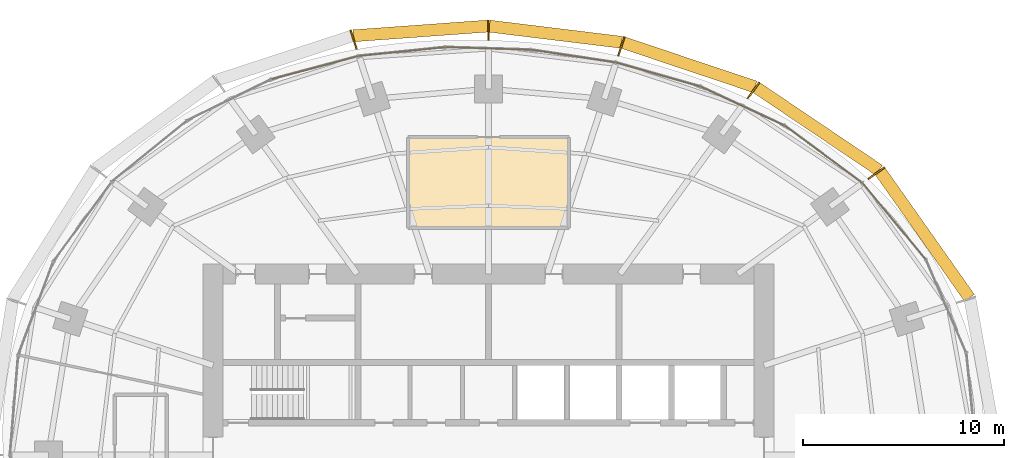
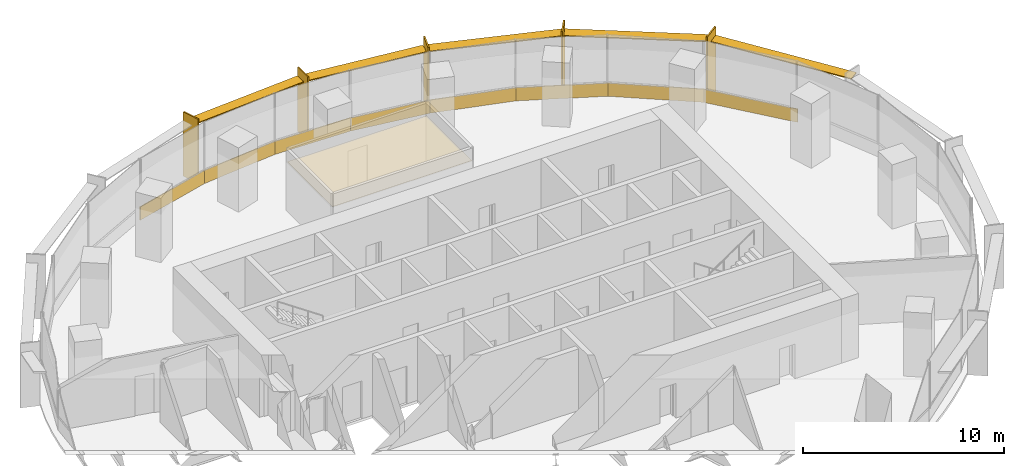
# One storey, part 14 of 14: 10 shading devices, 9 coverings.
"""IFC4 building model written with IfcOpenShell, lengths in metres."""

import ifcopenshell
import ifcopenshell.guid

model = None  # the IFC model being written
_history = None  # IfcOwnerHistory: only IFC2X3 demands one
_inside = {}  # id of a spatial element -> (the spatial element, [elements in it])
_under = {}  # id of a project, library or spatial element -> (it, [spatial elements below it])
_declared = {}  # id of a project -> (the project, [libraries it declares])
_typed = {}  # id of a type object -> (the type object, [elements of that type])
_made_of = {}  # id of a material, layer set ... -> (it, [elements and type objects made of it])


def new_model(schema):
    """Start an empty IFC model of exactly this schema.

    Asked for "IFC4X3", IfcOpenShell would pick the latest addendum, in which some entities
    have other attributes; the version numbers below select the first issue.
    IFC2X3 requires an IfcOwnerHistory on every rooted entity: one is made here for all.
    """
    global model, _history
    if schema == "IFC4X3":
        model = ifcopenshell.file(schema_version=(4, 3, 0, 0))
    else:
        model = ifcopenshell.file(schema=schema)
    _inside.clear()
    _under.clear()
    _declared.clear()
    _typed.clear()
    _made_of.clear()
    _history = None
    if model.schema == "IFC2X3":
        org = make("IfcOrganization", Name="unknown")
        user = make(
            "IfcPersonAndOrganization",
            ThePerson=make("IfcPerson", FamilyName="unknown"),
            TheOrganization=org,
        )
        app = make(
            "IfcApplication",
            ApplicationDeveloper=org,
            Version="unknown",
            ApplicationFullName="unknown",
            ApplicationIdentifier="unknown",
        )
        _history = make(
            "IfcOwnerHistory",
            OwningUser=user,
            OwningApplication=app,
            ChangeAction="ADDED",
            CreationDate=0,
        )
    return model


def make(cls, **values):
    """One entity of the class cls with the attributes given. An attribute that is None is left unset."""
    return model.create_entity(
        cls, **{name: value for name, value in values.items() if value is not None}
    )


def rooted(cls, **values):
    """An entity with a GlobalId (a new one), such as an element, a storey or a relation."""
    return make(cls, GlobalId=ifcopenshell.guid.new(), OwnerHistory=_history, **values)


def si_unit(unit_type, name, prefix=None):
    """IfcSIUnit, for example si_unit("LENGTHUNIT", "METRE", prefix="MILLI")."""
    return make("IfcSIUnit", UnitType=unit_type, Prefix=prefix, Name=name)


def assignment(units):
    """IfcUnitAssignment: the units of a project."""
    return None if units is None else make("IfcUnitAssignment", Units=units)


def point(xyz):
    """IfcCartesianPoint."""
    return None if xyz is None else make("IfcCartesianPoint", Coordinates=xyz)


def direction(xyz):
    """IfcDirection."""
    return None if xyz is None else make("IfcDirection", DirectionRatios=xyz)


def frame(location, z_axis=None, x_axis=None):
    """IfcAxis2Placement3D, a coordinate frame: its origin and axes. An axis left out is left unset."""
    return make(
        "IfcAxis2Placement3D",
        Location=point(location),
        Axis=direction(z_axis),
        RefDirection=direction(x_axis),
    )


def frame_2d(location, x_axis=None):
    """IfcAxis2Placement2D, a coordinate frame in the plane: its origin and x axis."""
    return make(
        "IfcAxis2Placement2D", Location=point(location), RefDirection=direction(x_axis)
    )


def origin():
    """The frame at (0, 0, 0) with its axes left unset."""
    return frame((0.0, 0.0, 0.0))


def origin_2d():
    """The frame at (0, 0) in the plane with its x axis left unset."""
    return frame_2d((0.0, 0.0))


def place(relative_to, where):
    """IfcLocalPlacement: puts the frame where relative to a parent placement (None: the world)."""
    return make(
        "IfcLocalPlacement", PlacementRelTo=relative_to, RelativePlacement=where
    )


def context(
    kind, dimensions, precision=None, world=None, true_north=None, identifier=None
):
    """IfcGeometricRepresentationContext, for example the 3D "Model" context."""
    return make(
        "IfcGeometricRepresentationContext",
        ContextIdentifier=identifier,
        ContextType=kind,
        CoordinateSpaceDimension=dimensions,
        Precision=precision,
        WorldCoordinateSystem=world,
        TrueNorth=true_north,
    )


def subcontext(parent, identifier, kind, view, scale=None):
    """IfcGeometricRepresentationSubContext, for example "Body" below "Model"."""
    return make(
        "IfcGeometricRepresentationSubContext",
        ContextIdentifier=identifier,
        ContextType=kind,
        ParentContext=parent,
        TargetScale=scale,
        TargetView=view,
    )


def project(units=None, contexts=None):
    """IfcProject with its units and contexts."""
    return rooted(
        "IfcProject",
        Name="project",
        RepresentationContexts=contexts,
        UnitsInContext=assignment(units),
    )


def spatial(cls, under=None, at=None, **own):
    """A site, building, storey or space (cls), placed at a placement, below another one or the project."""
    s = rooted(cls, ObjectPlacement=at, **own)
    if under is not None:
        _under.setdefault(under.id(), (under, []))[1].append(s)
    return s


def polyline(points):
    """IfcPolyline through the points."""
    return make("IfcPolyline", Points=[point(p) for p in points])


def profile(cls, at=None, kind="AREA", **sizes):
    """A parametric profile (cls). Its sizes go by their IFC names, for example OverallWidth=200.0."""
    return make(cls, ProfileType=kind, Position=at, **sizes)


def rectangle(**sizes):
    """IfcRectangleProfileDef."""
    return profile("IfcRectangleProfileDef", **sizes)


def outline(outer, holes=None, kind="AREA"):
    """IfcArbitraryClosedProfileDef: a profile drawn as a closed curve; with holes, ...WithVoids."""
    if holes is None:
        return make("IfcArbitraryClosedProfileDef", ProfileType=kind, OuterCurve=outer)
    return make(
        "IfcArbitraryProfileDefWithVoids",
        ProfileType=kind,
        OuterCurve=outer,
        InnerCurves=holes,
    )


def extrude(swept, where, along, depth):
    """IfcExtrudedAreaSolid: the profile swept, set in the frame where, extruded along a direction by depth."""
    return make(
        "IfcExtrudedAreaSolid",
        SweptArea=swept,
        Position=where,
        ExtrudedDirection=direction(along),
        Depth=depth,
    )


def shape(context_of_items, identifier, shape_type, items):
    """IfcShapeRepresentation: the items that make up one representation, for example the "Body"."""
    return make(
        "IfcShapeRepresentation",
        ContextOfItems=context_of_items,
        RepresentationIdentifier=identifier,
        RepresentationType=shape_type,
        Items=items,
    )


def material(Name=None, Category=None):
    """IfcMaterial."""
    return make("IfcMaterial", Name=Name, Category=Category)


def layer(
    of_material, thickness, ventilated=None, Name=None, Category=None, Priority=None
):
    """IfcMaterialLayer: one layer of a wall or slab, of a material (None: an air gap)."""
    return make(
        "IfcMaterialLayer",
        Material=of_material,
        LayerThickness=thickness,
        IsVentilated=ventilated,
        Name=Name,
        Category=Category,
        Priority=Priority,
    )


def layer_set(layers, Name=None):
    """IfcMaterialLayerSet."""
    return make("IfcMaterialLayerSet", MaterialLayers=layers, LayerSetName=Name)


def made_of(thing, what):
    """Note that an element or type object is made of a material, layer set ...; save() writes the relation."""
    if what is not None:
        _made_of.setdefault(what.id(), (what, []))[1].append(thing)
    return thing


def type_object(cls, material=None, **own):
    """A type object (cls), such as IfcWallType, which elements share."""
    return made_of(rooted(cls, **own), material)


def element(
    cls,
    number,
    at=None,
    inside=None,
    cuts=None,
    type_object=None,
    material=None,
    context=None,
    identifier="Body",
    shape_type=None,
    held_by="IfcProductDefinitionShape",
    body=None,
    shapes=None,
    **own,
):
    """One element of the class cls, such as IfcWall. Its Tag is "e" and its number.

    at: its placement. inside: the storey or other place that contains it. cuts: it is an
    opening in that element (IfcRelVoidsElement). A single representation is given by context,
    identifier, shape_type and body (its items); several are given by shapes. held_by: the class
    of the entity that holds the representations. save() writes the other relations.
    """
    e = rooted(cls, Tag="e%d" % number, ObjectPlacement=at, **own)
    if body is not None:
        shapes = [shape(context, identifier, shape_type, body)]
    if shapes is not None:
        e.Representation = make(held_by, Representations=shapes)
    if inside is not None:
        _inside.setdefault(inside.id(), (inside, []))[1].append(e)
    if cuts is not None:
        rooted(
            "IfcRelVoidsElement", RelatingBuildingElement=cuts, RelatedOpeningElement=e
        )
    if type_object is not None:
        _typed.setdefault(type_object.id(), (type_object, []))[1].append(e)
    return made_of(e, material)


def aggregate(whole, parts):
    """IfcRelAggregates: a whole, such as a stair, and the parts it consists of."""
    return rooted("IfcRelAggregates", RelatingObject=whole, RelatedObjects=parts)


def save(model, path):
    """Write the relations noted so far, then the file.

    IfcRelAggregates (storeys below a building ...), IfcRelContainedInSpatialStructure (elements
    in a storey), IfcRelDefinesByType, IfcRelAssociatesMaterial and IfcRelDeclares: one each for
    every whole, place, type object, material and project.
    """
    for whole, parts in _under.values():
        aggregate(whole, parts)
    for where, things in _inside.values():
        rooted(
            "IfcRelContainedInSpatialStructure",
            RelatedElements=things,
            RelatingStructure=where,
        )
    for kind, things in _typed.values():
        rooted("IfcRelDefinesByType", RelatedObjects=things, RelatingType=kind)
    for what, things in _made_of.values():
        rooted("IfcRelAssociatesMaterial", RelatedObjects=things, RelatingMaterial=what)
    for by, libraries in _declared.values():
        rooted("IfcRelDeclares", RelatingContext=by, RelatedDefinitions=libraries)
    model.write(path)


model = new_model("IFC4")

# Units and contexts
model_context = context("Model", 3, precision=1e-05, world=origin(), true_north=direction((0.0, 1.0)))
body_context = subcontext(model_context, "Body", "Model", "MODEL_VIEW")
ifc_project = project(units=[si_unit("LENGTHUNIT", "METRE"), si_unit("AREAUNIT", "SQUARE_METRE"), si_unit("VOLUMEUNIT", "CUBIC_METRE"), si_unit("PLANEANGLEUNIT", "RADIAN"), si_unit("MASSUNIT", "GRAM", prefix="KILO")], contexts=[model_context])

# Site, building, storey
site_placement = place(None, origin())
site = spatial("IfcSite", under=ifc_project, at=site_placement, CompositionType="ELEMENT")
building_placement = place(site_placement, origin())
building = spatial("IfcBuilding", under=site, at=building_placement, Name="Marramba Exchange Tower", CompositionType="ELEMENT")
storey_placement = place(building_placement, frame((0.0, 0.0, 218.89990234375)))
storey = spatial("IfcBuildingStorey", under=building, at=storey_placement, Name="L53", CompositionType="ELEMENT", Elevation=218.89990234375)

# Shading devices
ifc_material_1 = material(Name="Aluminium blade, timber-look bronze finish", Category="wood")
ifc_layer_1 = layer(ifc_material_1, 0.080078125)
ifc_layer_set_1 = layer_set([ifc_layer_1], Name="Floor-edge blade 1000x80")
shading_device_type_1 = type_object("IfcShadingDeviceType", Name="Floor-edge blade 1000x80", PredefinedType="USERDEFINED", material=ifc_layer_set_1)
for number, where, z_axis, x_axis, name in (
    (1, (19.298828125, 14.021484375, -0.159912109375), (0.0, 0.0, 1.0), (0.809016994375, 0.587785252292, 0.0), "Floor-edge blade FB1 L53 TC03"),
    (2, (13.176513671875, 18.135986328125, -0.159912109375), (0.0, 0.0, 1.0), (0.587785252292, 0.809016994375, 0.0), "Floor-edge blade FB1 L53 TC04"),
    (3, (6.605712890625, 20.330078125, -0.159912109375), (0.0, 0.0, 1.0), (0.309016994375, 0.951056516295, 0.0), "Floor-edge blade FB1 L53 TC05"),
    (4, (0.0, 21.13623046875, -0.159912109375), (0.0, 0.0, 1.0), (0.0, 1.0, 0.0), "Floor-edge blade FB1 L53 TC06"),
    (5, (-6.7119140625, 20.657470703125, -0.159912109375), (0.0, 0.0, 1.0), (-0.309016994375, 0.951056516295, 0.0), "Floor-edge blade FB1 L53 TC07"),
):
    element("IfcShadingDevice", number, at=place(storey_placement, frame(where, z_axis=z_axis, x_axis=x_axis)), inside=storey, type_object=shading_device_type_1, Name=name, ObjectType="FIN", PredefinedType="USERDEFINED", context=body_context, shape_type="SweptSolid", body=[
        extrude(rectangle(XDim=1.0, YDim=0.080078125, at=origin_2d()), origin(), (0.0, 0.0, 1.0), 3.89990234375),
    ])
ifc_material_2 = material(Name="Aluminium sunshade, bronze anodised", Category="aluminium")
ifc_layer_2 = layer(ifc_material_2, 0.06005859375)
ifc_layer_set_2 = layer_set([ifc_layer_2], Name="SUNSHADE blade 600x60")
shading_device_type_2 = type_object("IfcShadingDeviceType", Name="SUNSHADE blade 600x60", PredefinedType="USERDEFINED", material=ifc_layer_set_2)
shading_device_1_placement = place(storey_placement, frame((21.703857421875, 10.9599609375, 3.16015625), z_axis=(0.0, 0.0, 1.0), x_axis=(-0.576555118613, 0.81705825692, 0.0)))
element("IfcShadingDevice", 6, at=shading_device_1_placement, inside=storey, type_object=shading_device_type_2, Name="Sunshade SS1 L53 bay 02", ObjectType="SUNSHADE", PredefinedType="USERDEFINED", context=body_context, shape_type="SweptSolid", body=[
    extrude(rectangle(XDim=7.70166015625, YDim=0.60009765625, at=origin_2d()), origin(), (0.0, 0.0, 1.0), 0.06005859375),
])
shading_device_2_placement = place(storey_placement, frame((16.37744140625, 16.218505859375, 3.16015625), z_axis=(0.0, 0.0, 1.0), x_axis=(-0.829071447151, 0.559142679035, 0.0)))
element("IfcShadingDevice", 7, at=shading_device_2_placement, inside=storey, type_object=shading_device_type_2, Name="Sunshade SS1 L53 bay 03", ObjectType="SUNSHADE", PredefinedType="USERDEFINED", context=body_context, shape_type="SweptSolid", body=[
    extrude(rectangle(XDim=7.35791015625, YDim=0.60009765625, at=origin_2d()), origin(), (0.0, 0.0, 1.0), 0.06005859375),
])
shading_device_3_placement = place(storey_placement, frame((9.980712890625, 19.4091796875, 3.16015625), z_axis=(0.0, 0.0, 1.0), x_axis=(-0.948096437223, 0.317982933073, 0.0)))
element("IfcShadingDevice", 8, at=shading_device_3_placement, inside=storey, type_object=shading_device_type_2, Name="Sunshade SS1 L53 bay 04", ObjectType="SUNSHADE", PredefinedType="USERDEFINED", context=body_context, shape_type="SweptSolid", body=[
    extrude(rectangle(XDim=6.909423828125, YDim=0.60009765625, at=origin_2d()), origin(), (0.0, 0.0, 1.0), 0.06005859375),
])
shading_device_4_placement = place(storey_placement, frame((3.333740234375, 20.92822265625, 3.16015625), z_axis=(0.0, 0.0, 1.0), x_axis=(-0.992595256045, 0.121468751853, 0.0)))
element("IfcShadingDevice", 9, at=shading_device_4_placement, inside=storey, type_object=shading_device_type_2, Name="Sunshade SS1 L53 bay 05", ObjectType="SUNSHADE", PredefinedType="USERDEFINED", context=body_context, shape_type="SweptSolid", body=[
    extrude(rectangle(XDim=6.63720703125, YDim=0.60009765625, at=origin_2d()), origin(), (0.0, 0.0, 1.0), 0.06005859375),
])
shading_device_5_placement = place(storey_placement, frame((-3.386962890625, 21.092041015625, 3.16015625), z_axis=(0.0, 0.0, 1.0), x_axis=(-0.997407641713, -0.071958295234, 0.0)))
element("IfcShadingDevice", 10, at=shading_device_5_placement, inside=storey, type_object=shading_device_type_2, Name="Sunshade SS1 L53 bay 06", ObjectType="SUNSHADE", PredefinedType="USERDEFINED", context=body_context, shape_type="SweptSolid", body=[
    extrude(rectangle(XDim=6.71142578125, YDim=0.60009765625, at=origin_2d()), origin(), (0.0, 0.0, 1.0), 0.06005859375),
])

# Coverings
ifc_material_3 = material(Name="Aluminium spandrel panel, bronze anodised, insulated", Category="aluminium")
ifc_layer_3 = layer(ifc_material_3, 0.050048828125)
ifc_layer_set_3 = layer_set([ifc_layer_3], Name="Spandrel panel 800")
covering_type_1 = type_object("IfcCoveringType", Name="Spandrel panel 800", PredefinedType="CLADDING", material=ifc_layer_set_3)
covering_1_placement = place(storey_placement, frame((20.193603515625, 11.608642578125, 0.0), z_axis=(0.0, 0.0, 1.0), x_axis=(-0.637350224586, 0.770574260678, 0.0)))
element("IfcCovering", 11, at=covering_1_placement, inside=storey, type_object=covering_type_1, Name="Spandrel panel SP1 L53 F03", PredefinedType="CLADDING", context=body_context, shape_type="SweptSolid", body=[
    extrude(rectangle(XDim=4.9658203125, YDim=0.050048828125, at=origin_2d()), origin(), (0.0, 0.0, 1.0), 0.800048828125),
])
covering_2_placement = place(storey_placement, frame((16.677001953125, 14.94775390625, 0.0), z_axis=(0.0, 0.0, 1.0), x_axis=(-0.804877256733, 0.593441321104, 0.0)))
element("IfcCovering", 12, at=covering_2_placement, inside=storey, type_object=covering_type_1, Name="Spandrel panel SP1 L53 F04", PredefinedType="CLADDING", context=body_context, shape_type="SweptSolid", body=[
    extrude(rectangle(XDim=4.805908203125, YDim=0.050048828125, at=origin_2d()), origin(), (0.0, 0.0, 1.0), 0.800048828125),
])
covering_3_placement = place(storey_placement, frame((12.65869140625, 17.344482421875, 0.0), z_axis=(0.0, 0.0, 1.0), x_axis=(-0.906533903661, 0.422133014005, 0.0)))
element("IfcCovering", 13, at=covering_3_placement, inside=storey, type_object=covering_type_1, Name="Spandrel panel SP1 L53 F05", PredefinedType="CLADDING", context=body_context, shape_type="SweptSolid", body=[
    extrude(rectangle(XDim=4.5986328125, YDim=0.050048828125, at=origin_2d()), origin(), (0.0, 0.0, 1.0), 0.800048828125),
])
covering_4_placement = place(storey_placement, frame((8.45849609375, 18.91845703125, 0.0), z_axis=(0.0, 0.0, 1.0), x_axis=(-0.961658952783, 0.274248169607, 0.0)))
element("IfcCovering", 14, at=covering_4_placement, inside=storey, type_object=covering_type_1, Name="Spandrel panel SP1 L53 F06", PredefinedType="CLADDING", context=body_context, shape_type="SweptSolid", body=[
    extrude(rectangle(XDim=4.39990234375, YDim=0.050048828125, at=origin_2d()), origin(), (0.0, 0.0, 1.0), 0.800048828125),
])
covering_5_placement = place(storey_placement, frame((4.230712890625, 19.839599609375, 0.0), z_axis=(0.0, 0.0, 1.0), x_axis=(-0.988868065308, 0.148794991224, 0.0)))
element("IfcCovering", 15, at=covering_5_placement, inside=storey, type_object=covering_type_1, Name="Spandrel panel SP1 L53 F07", PredefinedType="CLADDING", context=body_context, shape_type="SweptSolid", body=[
    extrude(rectangle(XDim=4.27197265625, YDim=0.050048828125, at=origin_2d()), origin(), (0.0, 0.0, 1.0), 0.800048828125),
])
covering_6_placement = place(storey_placement, frame((-0.0068359375, 20.221923828125, 0.0), z_axis=(0.0, 0.0, 1.0), x_axis=(-0.999537999985, 0.030393857689, 0.0)))
element("IfcCovering", 16, at=covering_6_placement, inside=storey, type_object=covering_type_1, Name="Spandrel panel SP1 L53 F08", PredefinedType="CLADDING", context=body_context, shape_type="SweptSolid", body=[
    extrude(rectangle(XDim=4.252685546875, YDim=0.050048828125, at=origin_2d()), origin(), (0.0, 0.0, 1.0), 0.800048828125),
])
covering_7_placement = place(storey_placement, frame((-4.290771484375, 20.06787109375, 0.0), z_axis=(0.0, 0.0, 1.0), x_axis=(-0.994900357732, -0.10086266993, 0.0)))
element("IfcCovering", 17, at=covering_7_placement, inside=storey, type_object=covering_type_1, Name="Spandrel panel SP1 L53 F09", PredefinedType="CLADDING", context=body_context, shape_type="SweptSolid", body=[
    extrude(rectangle(XDim=4.33935546875, YDim=0.050048828125, at=origin_2d()), origin(), (0.0, 0.0, 1.0), 0.800048828125),
])
covering_8_placement = place(storey_placement, frame((-8.620361328125, 19.27001953125, 0.0), z_axis=(0.0, 0.0, 1.0), x_axis=(-0.966240651433, -0.257641230237, 0.0)))
element("IfcCovering", 18, at=covering_8_placement, inside=storey, type_object=covering_type_1, Name="Spandrel panel SP1 L53 F10", PredefinedType="CLADDING", context=body_context, shape_type="SweptSolid", body=[
    extrude(rectangle(XDim=4.49365234375, YDim=0.050048828125, at=origin_2d()), origin(), (0.0, 0.0, 1.0), 0.800048828125),
])
ifc_material_4 = material(Name="Mineral fibre ceiling tiles", Category="gypsum")
ifc_layer_4 = layer(ifc_material_4, 0.02001953125)
ifc_layer_set_4 = layer_set([ifc_layer_4], Name="Suspended ceiling 20")
covering_type_2 = type_object("IfcCoveringType", Name="Suspended ceiling 20", PredefinedType="CEILING", material=ifc_layer_set_4)
covering_9_placement = place(storey_placement, frame((0.0, 0.0, 2.900146484375)))
element("IfcCovering", 19, at=covering_9_placement, inside=storey, type_object=covering_type_2, Name="Ceiling CL1 L53 Meeting Room", PredefinedType="CEILING", context=body_context, shape_type="SweptSolid", body=[
    extrude(outline(polyline([(4.0, 11.300048828125), (-4.0, 11.300048828125), (-4.0, 15.800048828125), (4.0, 15.800048828125), (4.0, 11.300048828125)])), origin(), (0.0, 0.0, 1.0), 0.02001953125),
])

save(model, "model.ifc")
